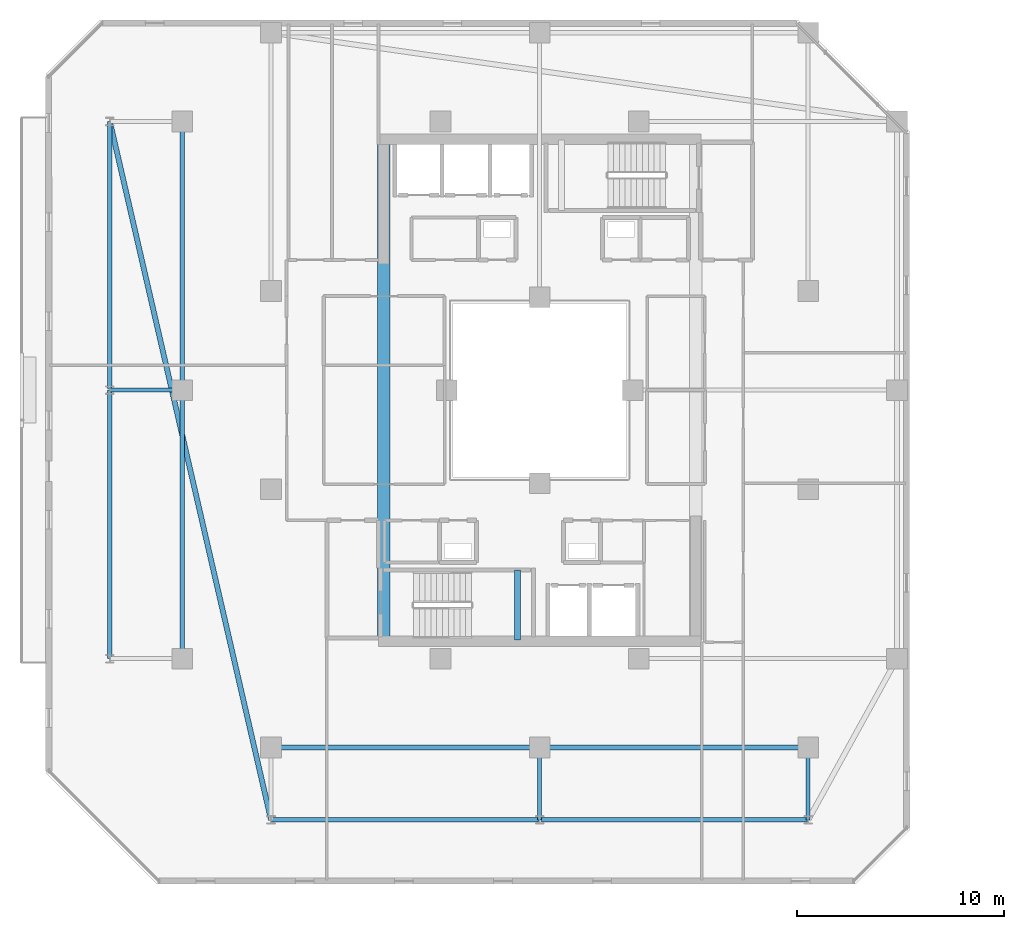
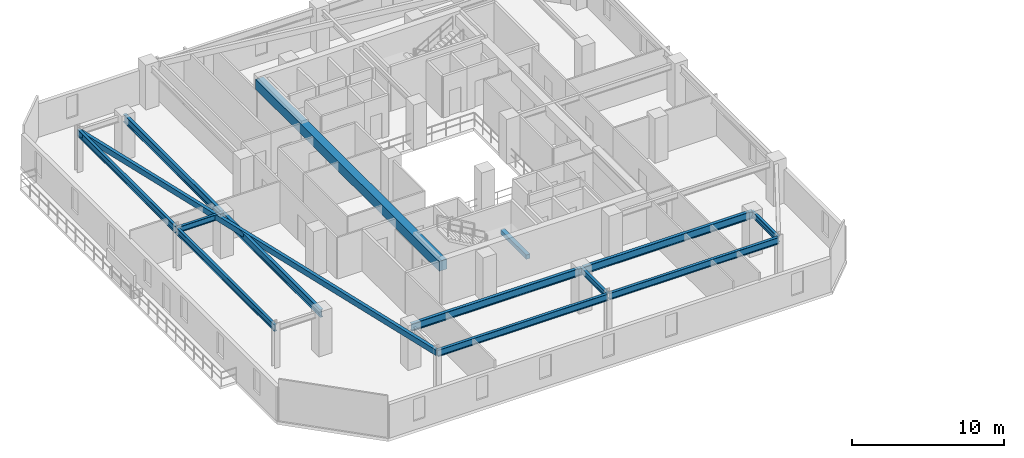
# One storey, part 4 of 32: 14 beams.
"""IFC4 building model written with IfcOpenShell, lengths in metres."""

from ifc_helpers import new_model, si_unit, direction, frame, origin, origin_2d, place, context, subcontext, project, spatial, rectangle, hollow_rectangle, i_section, extrude, material, material_profile, profile_set, type_object, element, save


model = new_model("IFC4")

# Units and contexts
model_context = context("Model", 3, precision=1e-05, world=origin(), true_north=direction((0.0, 1.0)))
body_context = subcontext(model_context, "Body", "Model", "MODEL_VIEW")
ifc_project = project(units=[si_unit("LENGTHUNIT", "METRE"), si_unit("AREAUNIT", "SQUARE_METRE"), si_unit("VOLUMEUNIT", "CUBIC_METRE"), si_unit("PLANEANGLEUNIT", "RADIAN"), si_unit("MASSUNIT", "GRAM", prefix="KILO")], contexts=[model_context])

# Site, building, storey
site_placement = place(None, origin())
site = spatial("IfcSite", under=ifc_project, at=site_placement, CompositionType="ELEMENT")
building_placement = place(site_placement, origin())
building = spatial("IfcBuilding", under=site, at=building_placement, Name="Thornwick Lancets Civic Towers", CompositionType="ELEMENT")
storey_placement = place(building_placement, frame((0.0, 0.0, 240.300048828125)))
storey = spatial("IfcBuildingStorey", under=building, at=storey_placement, Name="L64", CompositionType="ELEMENT", Elevation=240.300048828125)

# Beams
ifc_material_1 = material(Name="Concrete C60/75", Category="concrete")
ifc_material_profile_1 = material_profile(ifc_material_1, rectangle(XDim=0.60009765625, YDim=0.800048828125, at=origin_2d()), Name="RC 600x800")
ifc_profile_set_1 = profile_set([ifc_material_profile_1], Name="Concrete C60/75")
beam_type_1 = type_object("IfcBeamType", Name="BM_COUP_RC800", PredefinedType="BEAM", material=ifc_profile_set_1)
beam_1_placement = place(storey_placement, frame((17.949951171875, 14.89990234375, 2.9599609375), z_axis=(0.0, 1.0, 0.0), x_axis=(-1.0, 0.0, 0.0)))
element("IfcBeam", 1, at=beam_1_placement, inside=storey, type_object=beam_type_1, Name="CB-L64-A2", PredefinedType="BEAM", context=body_context, shape_type="SweptSolid", body=[
    extrude(rectangle(XDim=0.60009765625, YDim=0.800048828125, at=origin_2d()), origin(), (0.0, 0.0, 1.0), 24.2001953125),
])
ifc_material_2 = material(Name="Steel S355JR", Category="steel")
ifc_material_profile_2 = material_profile(ifc_material_2, i_section(OverallWidth=0.210693359375, OverallDepth=0.53955078125, WebThickness=0.01171875, FlangeThickness=0.018798828125, FilletRadius=0.0126953125, at=origin_2d()), Name="UKB 533x210x109")
ifc_profile_set_2 = profile_set([ifc_material_profile_2], Name="Steel S355JR")
beam_type_2 = type_object("IfcBeamType", Name="BM_EDGE_533_109", PredefinedType="SPANDREL", material=ifc_profile_set_2)
beam_2_placement = place(storey_placement, frame((12.5, 6.199951171875, 3.09033203125), z_axis=(1.0, 0.0, 0.0), x_axis=(0.0, 1.0, 0.0)))
element("IfcBeam", 2, at=beam_2_placement, inside=storey, type_object=beam_type_2, Name="BM-EDGE-L64-A-S0-1", PredefinedType="SPANDREL", context=body_context, shape_type="SweptSolid", body=[
    extrude(i_section(OverallWidth=0.210693359375, OverallDepth=0.53955078125, WebThickness=0.01171875, FlangeThickness=0.018798828125, FilletRadius=0.0126953125, at=origin_2d()), origin(), (0.0, 0.0, 1.0), 13.0),
])
beam_3_placement = place(storey_placement, frame((25.580078125, 6.199951171875, 3.09033203125), z_axis=(1.0, 0.0, 0.0), x_axis=(0.0, 1.0, 0.0)))
element("IfcBeam", 3, at=beam_3_placement, inside=storey, type_object=beam_type_2, Name="BM-EDGE-L64-A-S0-2", PredefinedType="SPANDREL", context=body_context, shape_type="SweptSolid", body=[
    extrude(i_section(OverallWidth=0.210693359375, OverallDepth=0.53955078125, WebThickness=0.01171875, FlangeThickness=0.018798828125, FilletRadius=0.0126953125, at=origin_2d()), origin(), (0.0, 0.0, 1.0), 12.919921875),
])
beam_4_placement = place(storey_placement, frame((4.699951171875, 14.0, 3.09033203125), z_axis=(0.0, 1.0, 0.0), x_axis=(-1.0, 0.0, 0.0)))
element("IfcBeam", 4, at=beam_4_placement, inside=storey, type_object=beam_type_2, Name="BM-EDGE-L64-A-S3-1", PredefinedType="SPANDREL", context=body_context, shape_type="SweptSolid", body=[
    extrude(i_section(OverallWidth=0.210693359375, OverallDepth=0.53955078125, WebThickness=0.01171875, FlangeThickness=0.018798828125, FilletRadius=0.0126953125, at=origin_2d()), origin(), (0.0, 0.0, 1.0), 13.0),
])
beam_5_placement = place(storey_placement, frame((4.699951171875, 27.080078125, 3.09033203125), z_axis=(0.0, 1.0, 0.0), x_axis=(-1.0, 0.0, 0.0)))
element("IfcBeam", 5, at=beam_5_placement, inside=storey, type_object=beam_type_2, Name="BM-EDGE-L64-A-S3-2", PredefinedType="SPANDREL", context=body_context, shape_type="SweptSolid", body=[
    extrude(i_section(OverallWidth=0.210693359375, OverallDepth=0.53955078125, WebThickness=0.01171875, FlangeThickness=0.018798828125, FilletRadius=0.0126953125, at=origin_2d()), origin(), (0.0, 0.0, 1.0), 12.919921875),
])
ifc_material_profile_3 = material_profile(ifc_material_2, i_section(OverallWidth=0.230224609375, OverallDepth=0.6171875, WebThickness=0.01318359375, FlangeThickness=0.022216796875, FilletRadius=0.0126953125, at=origin_2d()), Name="UKB 610x229x140")
ifc_profile_set_3 = profile_set([ifc_material_profile_3], Name="Steel S355JR")
beam_type_3 = type_object("IfcBeamType", Name="BM_GIRD_610_140", PredefinedType="BEAM", material=ifc_profile_set_3)
beam_6_placement = place(storey_placement, frame((12.5, 9.699951171875, 3.05126953125), z_axis=(1.0, 0.0, 0.0), x_axis=(0.0, 1.0, 0.0)))
element("IfcBeam", 6, at=beam_6_placement, inside=storey, type_object=beam_type_3, Name="BM-SPINE-L64-A-0-1", PredefinedType="BEAM", context=body_context, shape_type="SweptSolid", body=[
    extrude(i_section(OverallWidth=0.230224609375, OverallDepth=0.6171875, WebThickness=0.01318359375, FlangeThickness=0.022216796875, FilletRadius=0.0126953125, at=origin_2d()), origin(), (0.0, 0.0, 1.0), 13.0),
])
beam_7_placement = place(storey_placement, frame((25.580078125, 9.699951171875, 3.05126953125), z_axis=(1.0, 0.0, 0.0), x_axis=(0.0, 1.0, 0.0)))
element("IfcBeam", 7, at=beam_7_placement, inside=storey, type_object=beam_type_3, Name="BM-SPINE-L64-A-1-2", PredefinedType="BEAM", context=body_context, shape_type="SweptSolid", body=[
    extrude(i_section(OverallWidth=0.230224609375, OverallDepth=0.6171875, WebThickness=0.01318359375, FlangeThickness=0.022216796875, FilletRadius=0.0126953125, at=origin_2d()), origin(), (0.0, 0.0, 1.0), 12.919921875),
])
beam_8_placement = place(storey_placement, frame((8.199951171875, 14.0, 3.05126953125), z_axis=(0.0, 1.0, 0.0), x_axis=(-1.0, 0.0, 0.0)))
element("IfcBeam", 8, at=beam_8_placement, inside=storey, type_object=beam_type_3, Name="BM-SPINE-L64-A-9-10", PredefinedType="BEAM", context=body_context, shape_type="SweptSolid", body=[
    extrude(i_section(OverallWidth=0.230224609375, OverallDepth=0.6171875, WebThickness=0.01318359375, FlangeThickness=0.022216796875, FilletRadius=0.0126953125, at=origin_2d()), origin(), (0.0, 0.0, 1.0), 13.0),
])
beam_9_placement = place(storey_placement, frame((8.199951171875, 27.080078125, 3.05126953125), z_axis=(0.0, 1.0, 0.0), x_axis=(-1.0, 0.0, 0.0)))
element("IfcBeam", 9, at=beam_9_placement, inside=storey, type_object=beam_type_3, Name="BM-SPINE-L64-A-10-11", PredefinedType="BEAM", context=body_context, shape_type="SweptSolid", body=[
    extrude(i_section(OverallWidth=0.230224609375, OverallDepth=0.6171875, WebThickness=0.01318359375, FlangeThickness=0.022216796875, FilletRadius=0.0126953125, at=origin_2d()), origin(), (0.0, 0.0, 1.0), 12.919921875),
])
ifc_material_profile_4 = material_profile(ifc_material_2, i_section(OverallWidth=0.19287109375, OverallDepth=0.46728515625, WebThickness=0.011474609375, FlangeThickness=0.01953125, FilletRadius=0.01025390625, at=origin_2d()), Name="UKB 457x191x98")
ifc_profile_set_4 = profile_set([ifc_material_profile_4], Name="Steel S355JR")
beam_type_4 = type_object("IfcBeamType", Name="BM_JOIST_457_98", PredefinedType="JOIST", material=ifc_profile_set_4)
for number, where, z_axis, x_axis, name in (
    (10, (25.5, 9.699951171875, 3.12646484375), (0.0, -1.0, 0.0), (1.0, 0.0, 0.0), "BM-RAD-L64-A02"),
    (11, (38.5, 9.699951171875, 3.12646484375), (0.0, -1.0, 0.0), (1.0, 0.0, 0.0), "BM-RAD-L64-A03"),
    (12, (8.199951171875, 27.0, 3.12646484375), (-1.0, 0.0, 0.0), (0.0, -1.0, 0.0), "BM-RAD-L64-A11"),
):
    element("IfcBeam", number, at=place(storey_placement, frame(where, z_axis=z_axis, x_axis=x_axis)), inside=storey, type_object=beam_type_4, Name=name, PredefinedType="JOIST", context=body_context, shape_type="SweptSolid", body=[
        extrude(i_section(OverallWidth=0.19287109375, OverallDepth=0.46728515625, WebThickness=0.011474609375, FlangeThickness=0.01953125, FilletRadius=0.01025390625, at=origin_2d()), origin(), (0.0, 0.0, 1.0), 3.5),
    ])
ifc_material_profile_5 = material_profile(ifc_material_2, hollow_rectangle(XDim=0.25, YDim=0.449951171875, WallThickness=0.01611328125, at=origin_2d()), Name="RHS 450x250x16")
ifc_profile_set_5 = profile_set([ifc_material_profile_5], Name="Steel S355JR")
beam_type_5 = type_object("IfcBeamType", Name="BM_RING_RHS450", PredefinedType="BEAM", material=ifc_profile_set_5)
beam_10_placement = place(storey_placement, frame((4.699951171875, 40.0, 3.135009765625), z_axis=(0.224860534737, -0.974390958454, 0.0), x_axis=(0.974390958454, 0.224860534737, 0.0)))
element("IfcBeam", 13, at=beam_10_placement, inside=storey, type_object=beam_type_5, Name="BM-CHAMF-L64-A-C3", PredefinedType="BEAM", context=body_context, shape_type="SweptSolid", body=[
    extrude(hollow_rectangle(XDim=0.25, YDim=0.449951171875, WallThickness=0.01611328125, at=origin_2d()), origin(), (0.0, 0.0, 1.0), 34.6884765625),
])
ifc_material_3 = material(Name="Concrete C40/50", Category="concrete")
ifc_material_profile_6 = material_profile(ifc_material_3, rectangle(XDim=0.300048828125, YDim=0.35009765625, at=origin_2d()), Name="RC 300x350")
ifc_profile_set_6 = profile_set([ifc_material_profile_6], Name="Concrete C40/50")
beam_type_6 = type_object("IfcBeamType", Name="BM_STAIR_LDG", PredefinedType="BEAM", material=ifc_profile_set_6)
beam_11_placement = place(storey_placement, frame((24.43505859375, 14.89990234375, 1.3779296875), z_axis=(0.0, 1.0, 0.0), x_axis=(-1.0, 0.0, 0.0)))
element("IfcBeam", 14, at=beam_11_placement, inside=storey, type_object=beam_type_6, Name="L64 ST-A1 Landing Support Beam 1", PredefinedType="BEAM", context=body_context, shape_type="SweptSolid", body=[
    extrude(rectangle(XDim=0.300048828125, YDim=0.35009765625, at=origin_2d()), origin(), (0.0, 0.0, 1.0), 3.400146484375),
])

save(model, "model.ifc")
